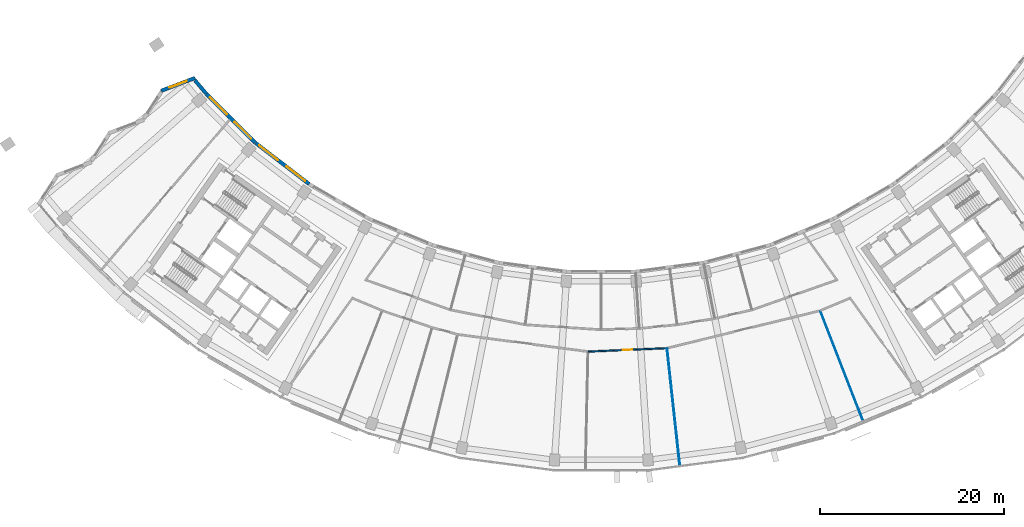
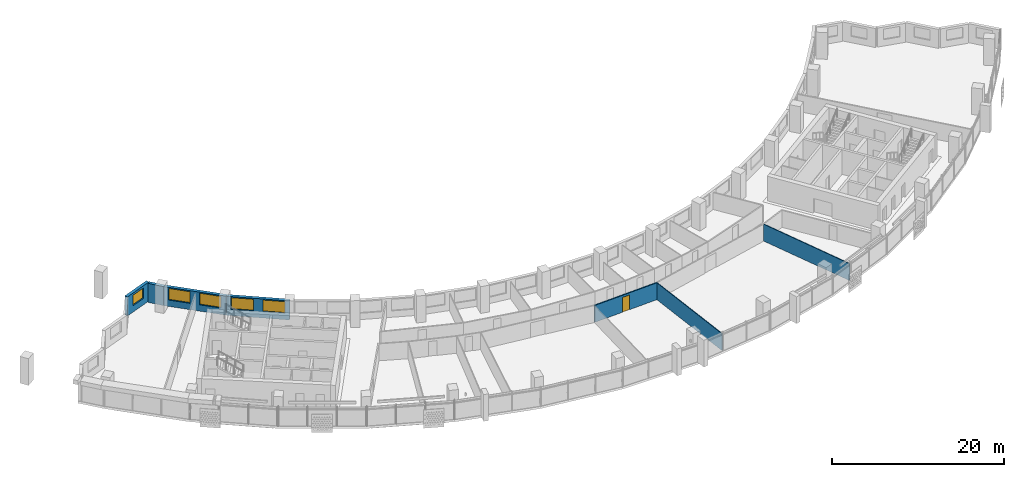
# One storey, part 5 of 26: 7 walls, 5 windows, 1 door, 6 openings.
"""IFC4 building model written with IfcOpenShell, lengths in metres."""

from ifc_helpers import new_model, si_unit, direction, frame, frame_2d, origin, place, context, subcontext, project, spatial, rectangle, extrude, material, layer, layer_set, type_object, element, fill, save


model = new_model("IFC4")

# Units and contexts
model_context = context("Model", 3, precision=1e-05, world=origin(), true_north=direction((0.0, 1.0)))
body_context = subcontext(model_context, "Body", "Model", "MODEL_VIEW")
ifc_project = project(units=[si_unit("LENGTHUNIT", "METRE"), si_unit("AREAUNIT", "SQUARE_METRE"), si_unit("VOLUMEUNIT", "CUBIC_METRE"), si_unit("PLANEANGLEUNIT", "RADIAN"), si_unit("MASSUNIT", "GRAM", prefix="KILO")], contexts=[model_context])

# Site, building, storey
site_placement = place(None, origin())
site = spatial("IfcSite", under=ifc_project, at=site_placement, CompositionType="ELEMENT")
building_placement = place(site_placement, origin())
building = spatial("IfcBuilding", under=site, at=building_placement, Name="Qamariyya Broadcast Tower", CompositionType="ELEMENT")
storey_placement = place(building_placement, frame((0.0, 0.0, 183.5)))
storey = spatial("IfcBuildingStorey", under=building, at=storey_placement, Name="L43", CompositionType="ELEMENT", Elevation=183.5)

# Wall, opening, door
ifc_material_1 = material(Name="Gypsum board partition")
ifc_layer_1 = layer(ifc_material_1, 0.14990234375)
ifc_layer_set_1 = layer_set([ifc_layer_1], Name="Corridor partition 150 EI 60")
wall_type_1 = type_object("IfcWallType", Name="Corridor partition 150 EI 60", PredefinedType="PARTITIONING", material=ifc_layer_set_1)
wall_1_placement = place(storey_placement, frame((7.16162109375, -65.4091796875, 0.0), z_axis=(0.0, 0.0, 1.0), x_axis=(-0.999050423115, -0.043568934724, 0.0)))
wall_1 = element("IfcWall", 1, at=wall_1_placement, inside=storey, type_object=wall_type_1, Name="Partition L43-017", PredefinedType="PARTITIONING", context=body_context, shape_type="SweptSolid", body=[
    extrude(rectangle(XDim=8.60693359375, YDim=0.14990234375, at=frame_2d((4.303466796875, 0.0))), origin(), (0.0, 0.0, 1.0), 2.39990234375),
])
opening_1_placement = place(wall_1_placement, frame((3.803466796875, 0.0, 0.0)))
opening_1 = element("IfcOpeningElement", 2, at=opening_1_placement, cuts=wall_1, Name="Opening L43-D05", PredefinedType="OPENING", context=body_context, shape_type="SweptSolid", body=[
    extrude(rectangle(XDim=1.0, YDim=2.10009765625, at=frame_2d((0.5, 1.050048828125))), frame((0.0, 0.0849609375, 0.0), z_axis=(0.0, -1.0, 0.0), x_axis=(1.0, 0.0, 0.0)), (0.0, 0.0, 1.0), 0.169921875),
])
ifc_material_2 = material(Name="Timber fire door leaf", Category="wood")
door_type = type_object("IfcDoorType", Name="Fire door 1000 x 2100 FD60", OperationType="NOTDEFINED", PredefinedType="DOOR", material=ifc_material_2)
door_placement = place(opening_1_placement, origin())
door = element("IfcDoor", 3, at=door_placement, inside=storey, type_object=door_type, Name="Door L43-D05", OperationType="SINGLE_SWING_RIGHT", OverallHeight=2.10009765625, OverallWidth=1.0, PredefinedType="DOOR", context=body_context, shape_type="SweptSolid", body=[
    extrude(rectangle(XDim=1.0, YDim=2.10009765625, at=frame_2d((0.5, 1.050048828125))), frame((0.0, 0.02490234375, 0.0), z_axis=(0.0, -1.0, 0.0), x_axis=(1.0, 0.0, 0.0)), (0.0, 0.0, 1.0), 0.050048828125),
])
fill(opening_1, door)

# Walls
ifc_layer_2 = layer(ifc_material_1, 0.10009765625)
ifc_layer_set_2 = layer_set([ifc_layer_2], Name="Partition 100")
wall_type_2 = type_object("IfcWallType", Name="Partition 100", PredefinedType="PARTITIONING", material=ifc_layer_set_2)
for number, where, z_axis, x_axis, name in (
    (4, (8.56005859375, -78.182373046875, 0.0), (0.0, 0.0, 1.0), (-0.108839313153, 0.994059356333, 0.0), "Partition L43-025"),
    (5, (28.503662109375, -73.302978515625, 0.0), (0.0, 0.0, 1.0), (-0.362407525881, 0.932019734332, 0.0), "Partition L43-033"),
):
    element("IfcWall", number, at=place(storey_placement, frame(where, z_axis=z_axis, x_axis=x_axis)), inside=storey, type_object=wall_type_2, Name=name, PredefinedType="PARTITIONING", context=body_context, shape_type="SweptSolid", body=[
        extrude(rectangle(XDim=12.774658203125, YDim=0.10009765625, at=frame_2d((6.38720703125, 0.0))), origin(), (0.0, 0.0, 1.0), 2.39990234375),
    ])

# Wall, opening, window
ifc_material_3 = material(Name="Terracotta", Category="masonry")
ifc_layer_3 = layer(ifc_material_3, 0.39990234375)
ifc_layer_set_3 = layer_set([ifc_layer_3], Name="Terracotta clad wall 400")
wall_type_3 = type_object("IfcWallType", Name="Terracotta clad wall 400", PredefinedType="SOLIDWALL", material=ifc_layer_set_3)
wall_2_placement = place(storey_placement, frame((-44.236083984375, -35.9736328125, 0.0), z_axis=(0.0, 0.0, 1.0), x_axis=(-0.935214349897, -0.354082080522, 0.0)))
wall_2 = element("IfcWall", 6, at=wall_2_placement, inside=storey, type_object=wall_type_3, Name="e-wl-L43-capW0", PredefinedType="SOLIDWALL", context=body_context, shape_type="SweptSolid", body=[
    extrude(rectangle(XDim=3.949462890625, YDim=0.39990234375, at=frame_2d((1.974609375, 0.0))), origin(), (0.0, 0.0, 1.0), 2.699951171875),
])
opening_2_placement = place(wall_2_placement, frame((0.974853515625, 0.0, 0.89990234375)))
opening_2 = element("IfcOpeningElement", 7, at=opening_2_placement, cuts=wall_2, Name="Opening W4", PredefinedType="OPENING", context=body_context, shape_type="SweptSolid", body=[
    extrude(rectangle(XDim=2.0, YDim=1.5, at=frame_2d((1.0, 0.75))), frame((0.0, 0.2099609375, 0.0), z_axis=(0.0, -1.0, 0.0), x_axis=(1.0, 0.0, 0.0)), (0.0, 0.0, 1.0), 0.419921875),
])
ifc_material_4 = material(Name="Clear low-e double glazed unit in aluminium frame", Category="aluminium")
window_type_1 = type_object("IfcWindowType", Name="Horn bay window 2000 x 1500", PartitioningType="SINGLE_PANEL", PredefinedType="WINDOW", material=ifc_material_4)
window_1_placement = place(opening_2_placement, origin())
window_1 = element("IfcWindow", 8, at=window_1_placement, inside=storey, type_object=window_type_1, Name="e-w-L43-capW0", OverallHeight=1.5, OverallWidth=2.0, PartitioningType="SINGLE_PANEL", PredefinedType="WINDOW", context=body_context, shape_type="SweptSolid", body=[
    extrude(rectangle(XDim=2.0, YDim=1.5, at=frame_2d((1.0, 0.75))), frame((0.0, 0.030029296875, 0.0), z_axis=(0.0, -1.0, 0.0), x_axis=(1.0, 0.0, 0.0)), (0.0, 0.0, 1.0), 0.06005859375),
])
fill(opening_2, window_1)

# Wall
wall_3_placement = place(storey_placement, frame((-43.02294921875, -37.693603515625, 0.0), z_axis=(0.0, 0.0, 1.0), x_axis=(-0.643875751755, 0.765130064958, 0.0)))
element("IfcWall", 9, at=wall_3_placement, inside=storey, type_object=wall_type_3, Name="e-wl-L43-in00", PredefinedType="SOLIDWALL", context=body_context, shape_type="SweptSolid", body=[
    extrude(rectangle(XDim=1.90869140625, YDim=0.39990234375, at=frame_2d((0.954345703125, 0.0))), origin(), (0.0, 0.0, 1.0), 2.699951171875),
])

# Wall, openings, windows
wall_4_placement = place(storey_placement, frame((-37.697265625, -43.023193359375, 0.0), z_axis=(0.0, 0.0, 1.0), x_axis=(-0.707106781187, 0.707106781187, 0.0)))
wall_4 = element("IfcWall", 10, at=wall_4_placement, inside=storey, type_object=wall_type_3, Name="e-wl-L43-in10", PredefinedType="SOLIDWALL", context=body_context, shape_type="SweptSolid", body=[
    extrude(rectangle(XDim=7.517578125, YDim=0.39990234375, at=frame_2d((3.7587890625, 0.0))), origin(), (0.0, 0.0, 1.0), 2.699951171875),
])
opening_3_placement = place(wall_4_placement, frame((4.330078125, 0.0, 0.89990234375)))
opening_3 = element("IfcOpeningElement", 11, at=opening_3_placement, cuts=wall_4, Name="Opening W1", PredefinedType="OPENING", context=body_context, shape_type="SweptSolid", body=[
    extrude(rectangle(XDim=2.60009765625, YDim=1.64990234375, at=frame_2d((1.300048828125, 0.824951171875))), frame((0.0, 0.2099609375, 0.0), z_axis=(0.0, -1.0, 0.0), x_axis=(1.0, 0.0, 0.0)), (0.0, 0.0, 1.0), 0.419921875),
])
opening_4_placement = place(wall_4_placement, frame((0.60205078125, 0.0, 0.89990234375)))
opening_4 = element("IfcOpeningElement", 12, at=opening_4_placement, cuts=wall_4, Name="Opening W1", PredefinedType="OPENING", context=body_context, shape_type="SweptSolid", body=[
    extrude(rectangle(XDim=2.60009765625, YDim=1.64990234375, at=frame_2d((1.300048828125, 0.824951171875))), frame((0.0, 0.2099609375, 0.0), z_axis=(0.0, -1.0, 0.0), x_axis=(1.0, 0.0, 0.0)), (0.0, 0.0, 1.0), 0.419921875),
])
window_type_2 = type_object("IfcWindowType", Name="Ribbon window 2600 x 1650", PartitioningType="SINGLE_PANEL", PredefinedType="WINDOW", material=ifc_material_4)
window_2_placement = place(opening_3_placement, origin())
window_2 = element("IfcWindow", 13, at=window_2_placement, inside=storey, type_object=window_type_2, Name="e-w-L43-in01-0", OverallHeight=1.64990234375, OverallWidth=2.60009765625, PartitioningType="SINGLE_PANEL", PredefinedType="WINDOW", context=body_context, shape_type="SweptSolid", body=[
    extrude(rectangle(XDim=2.60009765625, YDim=1.64990234375, at=frame_2d((1.300048828125, 0.824951171875))), frame((0.0, 0.030029296875, 0.0), z_axis=(0.0, -1.0, 0.0), x_axis=(1.0, 0.0, 0.0)), (0.0, 0.0, 1.0), 0.06005859375),
])
fill(opening_3, window_2)
window_3_placement = place(opening_4_placement, origin())
window_3 = element("IfcWindow", 14, at=window_3_placement, inside=storey, type_object=window_type_2, Name="e-w-L43-in01-1", OverallHeight=1.64990234375, OverallWidth=2.60009765625, PartitioningType="SINGLE_PANEL", PredefinedType="WINDOW", context=body_context, shape_type="SweptSolid", body=[
    extrude(rectangle(XDim=2.60009765625, YDim=1.64990234375, at=frame_2d((1.300048828125, 0.824951171875))), frame((0.0, 0.030029296875, 0.0), z_axis=(0.0, -1.0, 0.0), x_axis=(1.0, 0.0, 0.0)), (0.0, 0.0, 1.0), 0.06005859375),
])
fill(opening_4, window_3)

wall_5_placement = place(storey_placement, frame((-31.819091796875, -47.529541015625, 0.0), z_axis=(0.0, 0.0, 1.0), x_axis=(-0.79334647843, 0.608770371457, 0.0)))
wall_5 = element("IfcWall", 15, at=wall_5_placement, inside=storey, type_object=wall_type_3, Name="e-wl-L43-in20", PredefinedType="SOLIDWALL", context=body_context, shape_type="SweptSolid", body=[
    extrude(rectangle(XDim=7.380615234375, YDim=0.39990234375, at=frame_2d((3.6904296875, 0.0))), origin(), (0.0, 0.0, 1.0), 2.699951171875),
])
opening_5_placement = place(wall_5_placement, frame((4.25439453125, 0.0, 0.89990234375)))
opening_5 = element("IfcOpeningElement", 16, at=opening_5_placement, cuts=wall_5, Name="Opening W1", PredefinedType="OPENING", context=body_context, shape_type="SweptSolid", body=[
    extrude(rectangle(XDim=2.60009765625, YDim=1.64990234375, at=frame_2d((1.300048828125, 0.824951171875))), frame((0.0, 0.2099609375, 0.0), z_axis=(0.0, -1.0, 0.0), x_axis=(1.0, 0.0, 0.0)), (0.0, 0.0, 1.0), 0.419921875),
])
opening_6_placement = place(wall_5_placement, frame((0.5263671875, 0.0, 0.89990234375)))
opening_6 = element("IfcOpeningElement", 17, at=opening_6_placement, cuts=wall_5, Name="Opening W1", PredefinedType="OPENING", context=body_context, shape_type="SweptSolid", body=[
    extrude(rectangle(XDim=2.60009765625, YDim=1.64990234375, at=frame_2d((1.300048828125, 0.824951171875))), frame((0.0, 0.2099609375, 0.0), z_axis=(0.0, -1.0, 0.0), x_axis=(1.0, 0.0, 0.0)), (0.0, 0.0, 1.0), 0.419921875),
])
window_4_placement = place(opening_5_placement, origin())
window_4 = element("IfcWindow", 18, at=window_4_placement, inside=storey, type_object=window_type_2, Name="e-w-L43-in02-0", OverallHeight=1.64990234375, OverallWidth=2.60009765625, PartitioningType="SINGLE_PANEL", PredefinedType="WINDOW", context=body_context, shape_type="SweptSolid", body=[
    extrude(rectangle(XDim=2.60009765625, YDim=1.64990234375, at=frame_2d((1.300048828125, 0.824951171875))), frame((0.0, 0.030029296875, 0.0), z_axis=(0.0, -1.0, 0.0), x_axis=(1.0, 0.0, 0.0)), (0.0, 0.0, 1.0), 0.06005859375),
])
fill(opening_5, window_4)
window_5_placement = place(opening_6_placement, origin())
window_5 = element("IfcWindow", 19, at=window_5_placement, inside=storey, type_object=window_type_2, Name="e-w-L43-in02-1", OverallHeight=1.64990234375, OverallWidth=2.60009765625, PartitioningType="SINGLE_PANEL", PredefinedType="WINDOW", context=body_context, shape_type="SweptSolid", body=[
    extrude(rectangle(XDim=2.60009765625, YDim=1.64990234375, at=frame_2d((1.300048828125, 0.824951171875))), frame((0.0, 0.030029296875, 0.0), z_axis=(0.0, -1.0, 0.0), x_axis=(1.0, 0.0, 0.0)), (0.0, 0.0, 1.0), 0.06005859375),
])
fill(opening_6, window_5)

save(model, "model.ifc")
